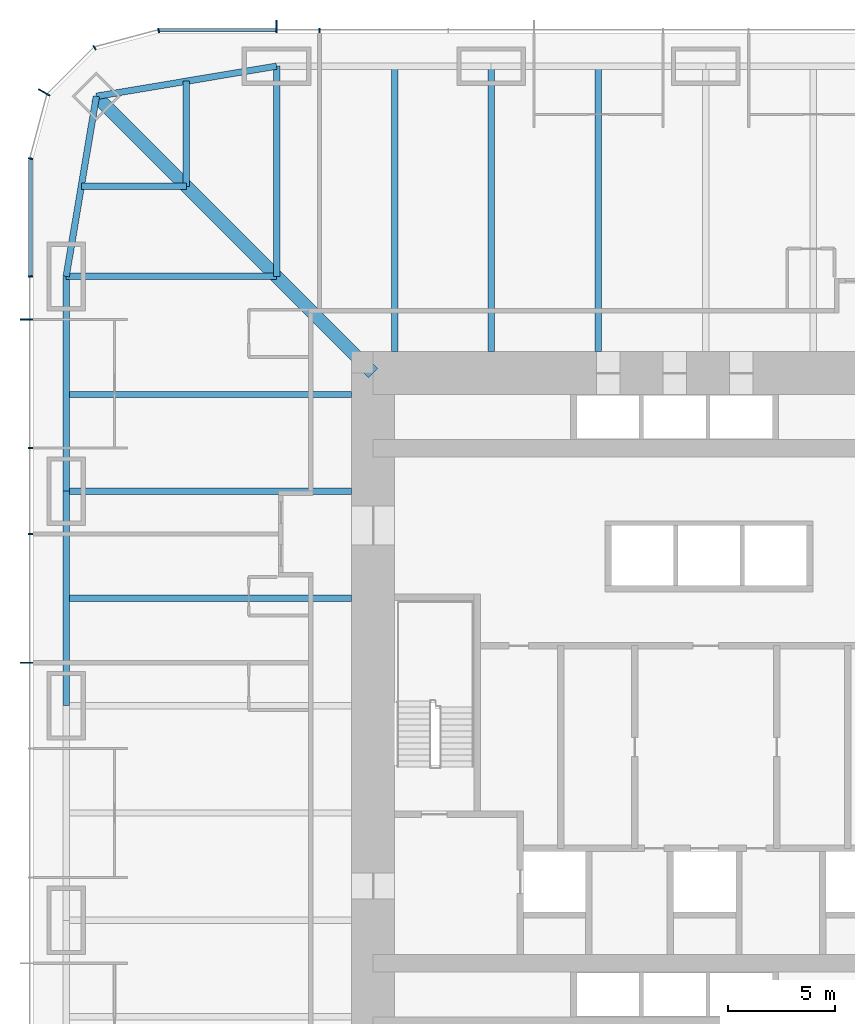
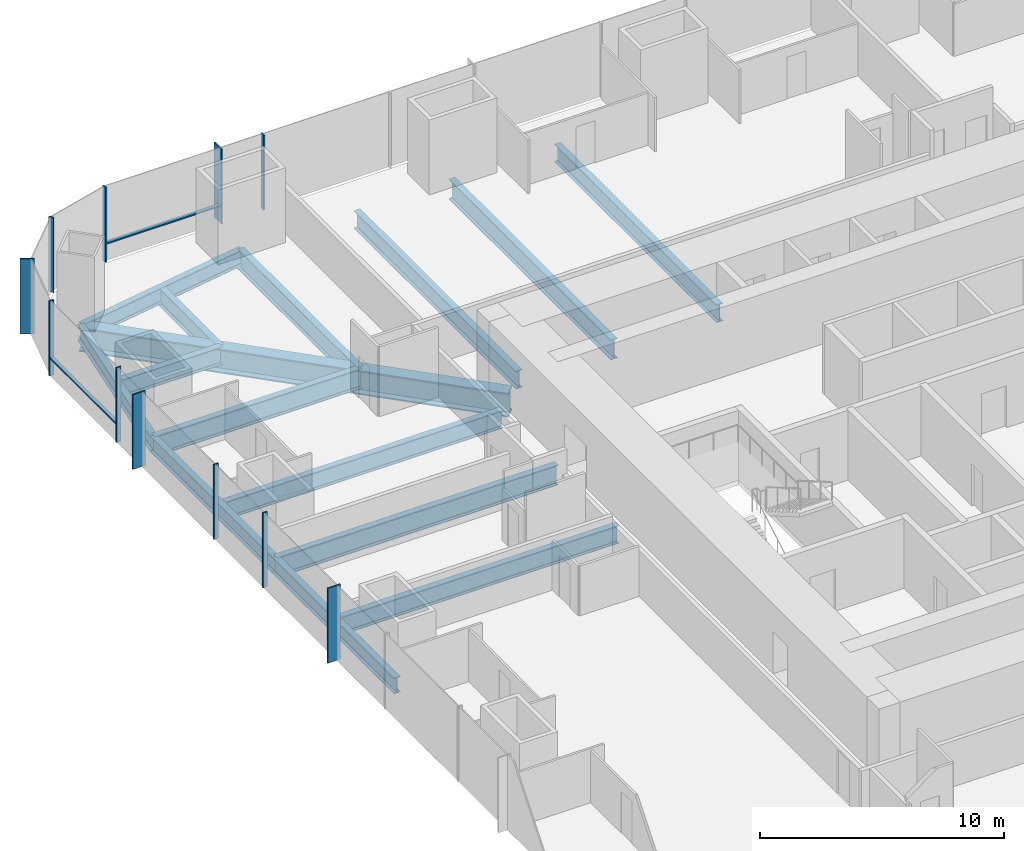
# One storey, part 6 of 16: 15 beams, 13 members, 3 elements without a shape of their own.
"""IFC4 building model written with IfcOpenShell, lengths in metres."""

from ifc_helpers import new_model, si_unit, direction, frame, origin, origin_2d, place, context, subcontext, project, spatial, rectangle, i_section, extrude, material, material_profile, profile_set, type_object, element, aggregate, save


model = new_model("IFC4")

# Units and contexts
model_context = context("Model", 3, precision=1e-05, world=origin(), true_north=direction((0.0, 1.0)))
body_context = subcontext(model_context, "Body", "Model", "MODEL_VIEW")
ifc_project = project(units=[si_unit("LENGTHUNIT", "METRE"), si_unit("AREAUNIT", "SQUARE_METRE"), si_unit("VOLUMEUNIT", "CUBIC_METRE"), si_unit("PLANEANGLEUNIT", "RADIAN"), si_unit("MASSUNIT", "GRAM", prefix="KILO")], contexts=[model_context])

# Site, building, storey
site_placement = place(None, origin())
site = spatial("IfcSite", under=ifc_project, at=site_placement, CompositionType="ELEMENT")
building_placement = place(site_placement, origin())
building = spatial("IfcBuilding", under=site, at=building_placement, Name="Khuree Lantern Residences", CompositionType="ELEMENT")
storey_placement = place(building_placement, frame((0.0, 0.0, 62.25)))
storey = spatial("IfcBuildingStorey", under=building, at=storey_placement, Name="L15", CompositionType="ELEMENT", Elevation=62.25)

# Beams
ifc_material_1 = material(Name="Steel S355", Category="steel")
ifc_material_profile_1 = material_profile(ifc_material_1, i_section(OverallWidth=0.300048828125, OverallDepth=0.889892578125, WebThickness=0.01611328125, FlangeThickness=0.030029296875, FilletRadius=0.030029296875, at=origin_2d()), Name="HE 900 A")
ifc_profile_set_1 = profile_set([ifc_material_profile_1], Name="Steel S355")
beam_type_1 = type_object("IfcBeamType", Name="B-13 SECONDARY BEAM HE 900 A", PredefinedType="BEAM", material=ifc_profile_set_1)
for number, where, z_axis, x_axis, name in (
    (1, (-14.5, 29.800048828125, -0.695068359375), (0.0, -1.0, 0.0), (1.0, 0.0, 0.0), "Secondary beam N1"),
    (2, (-5.0, 29.800048828125, -0.695068359375), (0.0, -1.0, 0.0), (1.0, 0.0, 0.0), "Secondary beam N2"),
    (3, (-29.800048828125, 5.0, -0.695068359375), (1.0, 0.0, 0.0), (0.0, 1.0, 0.0), "Secondary beam W4"),
    (4, (-29.800048828125, 14.5, -0.695068359375), (1.0, 0.0, 0.0), (0.0, 1.0, 0.0), "Secondary beam W5"),
):
    element("IfcBeam", number, at=place(storey_placement, frame(where, z_axis=z_axis, x_axis=x_axis)), inside=storey, type_object=beam_type_1, Name=name, PredefinedType="BEAM", context=body_context, shape_type="SweptSolid", body=[
        extrude(i_section(OverallWidth=0.300048828125, OverallDepth=0.889892578125, WebThickness=0.01611328125, FlangeThickness=0.030029296875, FilletRadius=0.030029296875, at=origin_2d()), origin(), (0.0, 0.0, 1.0), 13.300048828125),
    ])
for number, where, z_axis, x_axis, name in (
    (5, (-29.09716796875, 24.197021484375, -0.695068359375), (1.0, 0.0, 0.0), (0.0, 1.0, 0.0), "Secondary beam W6"),
    (6, (-24.197021484375, 29.09716796875, -0.695068359375), (0.0, -1.0, 0.0), (1.0, 0.0, 0.0), "Secondary beam N6"),
):
    element("IfcBeam", number, at=place(storey_placement, frame(where, z_axis=z_axis, x_axis=x_axis)), inside=storey, type_object=beam_type_1, Name=name, PredefinedType="BEAM", context=body_context, shape_type="SweptSolid", body=[
        extrude(i_section(OverallWidth=0.300048828125, OverallDepth=0.889892578125, WebThickness=0.01611328125, FlangeThickness=0.030029296875, FilletRadius=0.030029296875, at=origin_2d()), origin(), (0.0, 0.0, 1.0), 4.900146484375),
    ])
ifc_material_profile_2 = material_profile(ifc_material_1, i_section(OverallWidth=0.300048828125, OverallDepth=0.7900390625, WebThickness=0.014892578125, FlangeThickness=0.028076171875, FilletRadius=0.030029296875, at=origin_2d()), Name="HE 800 A")
ifc_profile_set_2 = profile_set([ifc_material_profile_2], Name="Steel S355")
beam_type_2 = type_object("IfcBeamType", Name="E-13 SPANDREL BEAM HE 800 A", PredefinedType="SPANDREL", material=ifc_profile_set_2)
for number, where, z_axis, x_axis, name in (
    (7, (-29.800048828125, 0.0, -0.64501953125), (0.0, 1.0, 0.0), (-1.0, 0.0, 0.0), "Spandrel beam W4"),
    (8, (-29.800048828125, 10.0, -0.64501953125), (0.0, 1.0, 0.0), (-1.0, 0.0, 0.0), "Spandrel beam W5"),
):
    element("IfcBeam", number, at=place(storey_placement, frame(where, z_axis=z_axis, x_axis=x_axis)), inside=storey, type_object=beam_type_2, Name=name, PredefinedType="SPANDREL", context=body_context, shape_type="SweptSolid", body=[
        extrude(i_section(OverallWidth=0.300048828125, OverallDepth=0.7900390625, WebThickness=0.014892578125, FlangeThickness=0.028076171875, FilletRadius=0.030029296875, at=origin_2d()), origin(), (0.0, 0.0, 1.0), 10.0),
    ])
for number, where, z_axis, x_axis, name in (
    (9, (-29.800048828125, 20.0, -0.64501953125), (0.165199022349, 0.986260251158, 0.0), (-0.986260251158, 0.165199022349, 0.0), "Spandrel beam W6"),
    (10, (-28.39404296875, 28.39404296875, -0.64501953125), (0.986260251158, 0.165199022349, 0.0), (-0.165199022349, 0.986260251158, 0.0), "Spandrel beam N6"),
):
    element("IfcBeam", number, at=place(storey_placement, frame(where, z_axis=z_axis, x_axis=x_axis)), inside=storey, type_object=beam_type_2, Name=name, PredefinedType="SPANDREL", context=body_context, shape_type="SweptSolid", body=[
        extrude(i_section(OverallWidth=0.300048828125, OverallDepth=0.7900390625, WebThickness=0.014892578125, FlangeThickness=0.028076171875, FilletRadius=0.030029296875, at=origin_2d()), origin(), (0.0, 0.0, 1.0), 8.510986328125),
    ])

# Curtain wall, member
ifc_material_2 = material(Name="Bronze anodised aluminium", Category="aluminium")
curtain_wall_type_1 = type_object("IfcCurtainWallType", Name="CW-T1 TOWER FACE CURTAIN WALL", PredefinedType="USERDEFINED", material=ifc_material_2)
curtain_wall_1_placement = place(storey_placement, origin())
curtain_wall_1 = element("IfcCurtainWall", 11, at=curtain_wall_1_placement, inside=storey, type_object=curtain_wall_type_1, Name="L15 NORTH FACE CURTAIN WALL", ObjectType="Stick-built curtain wall", PredefinedType="USERDEFINED")
ifc_material_profile_3 = material_profile(ifc_material_2, rectangle(XDim=0.06494140625, YDim=0.60009765625, at=origin_2d()), Name="F1 65X600")
ifc_profile_set_3 = profile_set([ifc_material_profile_3], Name="Bronze anodised aluminium")
member_type_1 = type_object("IfcMemberType", Name="F1 BRONZE FIN MULLION TOWER 65X600", PredefinedType="MULLION", material=ifc_profile_set_3)
member_1_placement = place(storey_placement, frame((-20.0, 31.64990234375, 0.0), z_axis=(0.0, 0.0, 1.0), x_axis=(-1.0, 0.0, 0.0)))
member_1 = element("IfcMember", 12, at=member_1_placement, type_object=member_type_1, Name="L15 NORTH FACE FIN MULLION 28", PredefinedType="MULLION", context=body_context, shape_type="SweptSolid", body=[
    extrude(rectangle(XDim=0.06494140625, YDim=0.60009765625, at=origin_2d()), origin(), (0.0, 0.0, 1.0), 3.75),
])

curtain_wall_type_2 = type_object("IfcCurtainWallType", Name="CW-T2 TOWER CORNER CURTAIN WALL", PredefinedType="USERDEFINED", material=ifc_material_2)
curtain_wall_2_placement = place(storey_placement, origin())
curtain_wall_2 = element("IfcCurtainWall", 13, at=curtain_wall_2_placement, inside=storey, type_object=curtain_wall_type_2, Name="L15 NORTH-WEST CORNER CURTAIN WALL", ObjectType="Faceted corner curtain wall", PredefinedType="USERDEFINED")
member_2_placement = place(storey_placement, frame((-30.826171875, 28.574951171875, 0.0), z_axis=(0.0, 0.0, 1.0), x_axis=(-0.500000056923, -0.86602537092, 0.0)))
member_2 = element("IfcMember", 14, at=member_2_placement, type_object=member_type_1, Name="L15 NORTH-WEST CORNER FIN MULLION 31", PredefinedType="MULLION", context=body_context, shape_type="SweptSolid", body=[
    extrude(rectangle(XDim=0.06494140625, YDim=0.60009765625, at=origin_2d()), origin(), (0.0, 0.0, 1.0), 3.75),
])

# Curtain wall, members
curtain_wall_3_placement = place(storey_placement, origin())
curtain_wall_3 = element("IfcCurtainWall", 15, at=curtain_wall_3_placement, inside=storey, type_object=curtain_wall_type_1, Name="L15 WEST FACE CURTAIN WALL", ObjectType="Stick-built curtain wall", PredefinedType="USERDEFINED")
member_3_placement = place(storey_placement, frame((-31.64990234375, 18.0, 0.0), z_axis=(0.0, 0.0, 1.0), x_axis=(0.0, -1.0, 0.0)))
member_3 = element("IfcMember", 16, at=member_3_placement, type_object=member_type_1, Name="L15 WEST FACE FIN MULLION 34", PredefinedType="MULLION", context=body_context, shape_type="SweptSolid", body=[
    extrude(rectangle(XDim=0.06494140625, YDim=0.60009765625, at=origin_2d()), origin(), (0.0, 0.0, 1.0), 3.75),
])
member_4_placement = place(storey_placement, frame((-31.64990234375, 2.0, 0.0), z_axis=(0.0, 0.0, 1.0), x_axis=(0.0, -1.0, 0.0)))
member_4 = element("IfcMember", 17, at=member_4_placement, type_object=member_type_1, Name="L15 WEST FACE FIN MULLION 37", PredefinedType="MULLION", context=body_context, shape_type="SweptSolid", body=[
    extrude(rectangle(XDim=0.06494140625, YDim=0.60009765625, at=origin_2d()), origin(), (0.0, 0.0, 1.0), 3.75),
])

# Beams
ifc_material_profile_4 = material_profile(ifc_material_1, i_section(OverallWidth=0.302001953125, OverallDepth=1.008056640625, WebThickness=0.02099609375, FlangeThickness=0.0400390625, FilletRadius=0.030029296875, at=origin_2d()), Name="HE 1000 M")
ifc_profile_set_4 = profile_set([ifc_material_profile_4], Name="Steel S355")
beam_type_3 = type_object("IfcBeamType", Name="G-13 GIRDER HE 1000 M", PredefinedType="BEAM", material=ifc_profile_set_4)
beam_1_placement = place(storey_placement, frame((-20.0, 29.800048828125, -0.75390625), z_axis=(0.0, -1.0, 0.0), x_axis=(1.0, 0.0, 0.0)))
element("IfcBeam", 18, at=beam_1_placement, inside=storey, type_object=beam_type_3, Name="Girder N1", PredefinedType="BEAM", context=body_context, shape_type="SweptSolid", body=[
    extrude(i_section(OverallWidth=0.302001953125, OverallDepth=1.008056640625, WebThickness=0.02099609375, FlangeThickness=0.0400390625, FilletRadius=0.030029296875, at=origin_2d()), origin(), (0.0, 0.0, 1.0), 9.800048828125),
])
for number, where, z_axis, x_axis, name in (
    (19, (-10.0, 29.800048828125, -0.75390625), (0.0, -1.0, 0.0), (1.0, 0.0, 0.0), "Girder N2"),
    (20, (-29.800048828125, 10.0, -0.75390625), (1.0, 0.0, 0.0), (0.0, 1.0, 0.0), "Girder W4"),
):
    element("IfcBeam", number, at=place(storey_placement, frame(where, z_axis=z_axis, x_axis=x_axis)), inside=storey, type_object=beam_type_3, Name=name, PredefinedType="BEAM", context=body_context, shape_type="SweptSolid", body=[
        extrude(i_section(OverallWidth=0.302001953125, OverallDepth=1.008056640625, WebThickness=0.02099609375, FlangeThickness=0.0400390625, FilletRadius=0.030029296875, at=origin_2d()), origin(), (0.0, 0.0, 1.0), 13.300048828125),
    ])
beam_2_placement = place(storey_placement, frame((-29.800048828125, 20.0, -0.75390625), z_axis=(1.0, 0.0, 0.0), x_axis=(0.0, 1.0, 0.0)))
element("IfcBeam", 21, at=beam_2_placement, inside=storey, type_object=beam_type_3, Name="Girder W5", PredefinedType="BEAM", context=body_context, shape_type="SweptSolid", body=[
    extrude(i_section(OverallWidth=0.302001953125, OverallDepth=1.008056640625, WebThickness=0.02099609375, FlangeThickness=0.0400390625, FilletRadius=0.030029296875, at=origin_2d()), origin(), (0.0, 0.0, 1.0), 9.800048828125),
])
ifc_material_profile_5 = material_profile(ifc_material_1, i_section(OverallWidth=0.60009765625, OverallDepth=1.199951171875, WebThickness=0.030029296875, FlangeThickness=0.06005859375, at=origin_2d()), Name="WELDED I 1200X600X30X60")
ifc_profile_set_5 = profile_set([ifc_material_profile_5], Name="Steel S355")
beam_type_4 = type_object("IfcBeamType", Name="GD-13 CORNER GIRDER WELDED I 1200X600X30X60", PredefinedType="BEAM", material=ifc_profile_set_5)
beam_3_placement = place(storey_placement, frame((-28.39404296875, 28.39404296875, -0.85009765625), z_axis=(0.707106781187, -0.707106781187, 0.0), x_axis=(0.707106781187, 0.707106781187, 0.0)))
element("IfcBeam", 22, at=beam_3_placement, inside=storey, type_object=beam_type_4, Name="Corner girder NW", PredefinedType="BEAM", context=body_context, shape_type="SweptSolid", body=[
    extrude(i_section(OverallWidth=0.60009765625, OverallDepth=1.199951171875, WebThickness=0.030029296875, FlangeThickness=0.06005859375, at=origin_2d()), origin(), (0.0, 0.0, 1.0), 18.23486328125),
])

# Member
ifc_material_profile_6 = material_profile(ifc_material_2, rectangle(XDim=0.06494140625, YDim=0.219970703125, at=origin_2d()), Name="M1 65X220")
ifc_profile_set_6 = profile_set([ifc_material_profile_6], Name="Bronze anodised aluminium")
member_type_2 = type_object("IfcMemberType", Name="M1 BRONZE MULLION TOWER 65X220", PredefinedType="MULLION", material=ifc_profile_set_6)
member_5_placement = place(storey_placement, frame((-18.0, 31.4599609375, 0.0), z_axis=(0.0, 0.0, 1.0), x_axis=(-1.0, 0.0, 0.0)))
member_5 = element("IfcMember", 23, at=member_5_placement, type_object=member_type_2, Name="L15 NORTH FACE MULLION 27", PredefinedType="MULLION", context=body_context, shape_type="SweptSolid", body=[
    extrude(rectangle(XDim=0.06494140625, YDim=0.219970703125, at=origin_2d()), origin(), (0.0, 0.0, 1.0), 3.75),
])

member_6_placement = place(storey_placement, frame((-25.494873046875, 31.461669921875, 0.0), z_axis=(0.0, 0.0, 1.0), x_axis=(-0.991444852794, -0.130526257387, 0.0)))
member_6 = element("IfcMember", 24, at=member_6_placement, type_object=member_type_2, Name="L15 NORTH-WEST CORNER MULLION 29", PredefinedType="MULLION", context=body_context, shape_type="SweptSolid", body=[
    extrude(rectangle(XDim=0.06494140625, YDim=0.219970703125, at=origin_2d()), origin(), (0.0, 0.0, 1.0), 3.75),
])

member_7_placement = place(storey_placement, frame((-28.47998046875, 30.66162109375, 0.0), z_axis=(0.0, 0.0, 1.0), x_axis=(-0.86602537092, -0.500000056923, 0.0)))
member_7 = element("IfcMember", 25, at=member_7_placement, type_object=member_type_2, Name="L15 NORTH-WEST CORNER MULLION 30", PredefinedType="MULLION", context=body_context, shape_type="SweptSolid", body=[
    extrude(rectangle(XDim=0.06494140625, YDim=0.219970703125, at=origin_2d()), origin(), (0.0, 0.0, 1.0), 3.75),
])

aggregate(curtain_wall_2, [member_6, member_7, member_2])

member_8_placement = place(storey_placement, frame((-31.461669921875, 25.494873046875, 0.0), z_axis=(0.0, 0.0, 1.0), x_axis=(-0.130526257387, -0.991444852794, 0.0)))
member_8 = element("IfcMember", 26, at=member_8_placement, type_object=member_type_2, Name="L15 WEST FACE MULLION 32", PredefinedType="MULLION", context=body_context, shape_type="SweptSolid", body=[
    extrude(rectangle(XDim=0.06494140625, YDim=0.219970703125, at=origin_2d()), origin(), (0.0, 0.0, 1.0), 3.75),
])

member_9_placement = place(storey_placement, frame((-31.4599609375, 20.0, 0.0), z_axis=(0.0, 0.0, 1.0), x_axis=(0.0, -1.0, 0.0)))
member_9 = element("IfcMember", 27, at=member_9_placement, type_object=member_type_2, Name="L15 WEST FACE MULLION 33", PredefinedType="MULLION", context=body_context, shape_type="SweptSolid", body=[
    extrude(rectangle(XDim=0.06494140625, YDim=0.219970703125, at=origin_2d()), origin(), (0.0, 0.0, 1.0), 3.75),
])

member_10_placement = place(storey_placement, frame((-31.4599609375, 12.0, 0.0), z_axis=(0.0, 0.0, 1.0), x_axis=(0.0, -1.0, 0.0)))
member_10 = element("IfcMember", 28, at=member_10_placement, type_object=member_type_2, Name="L15 WEST FACE MULLION 35", PredefinedType="MULLION", context=body_context, shape_type="SweptSolid", body=[
    extrude(rectangle(XDim=0.06494140625, YDim=0.219970703125, at=origin_2d()), origin(), (0.0, 0.0, 1.0), 3.75),
])

member_11_placement = place(storey_placement, frame((-31.4599609375, 8.0, 0.0), z_axis=(0.0, 0.0, 1.0), x_axis=(0.0, -1.0, 0.0)))
member_11 = element("IfcMember", 29, at=member_11_placement, type_object=member_type_2, Name="L15 WEST FACE MULLION 36", PredefinedType="MULLION", context=body_context, shape_type="SweptSolid", body=[
    extrude(rectangle(XDim=0.06494140625, YDim=0.219970703125, at=origin_2d()), origin(), (0.0, 0.0, 1.0), 3.75),
])

ifc_material_profile_7 = material_profile(ifc_material_2, rectangle(XDim=0.179931640625, YDim=0.06494140625, at=origin_2d()), Name="T1 180X65")
ifc_profile_set_7 = profile_set([ifc_material_profile_7], Name="Bronze anodised aluminium")
member_type_3 = type_object("IfcMemberType", Name="TRANSOM T1 TOWER 180X65", PredefinedType="USERDEFINED", material=ifc_profile_set_7)
member_12_placement = place(storey_placement, frame((-20.032470703125, 31.469970703125, 0.89990234375), z_axis=(-1.0, 0.0, 0.0), x_axis=(0.0, -1.0, 0.0)))
member_12 = element("IfcMember", 30, at=member_12_placement, type_object=member_type_3, Name="L15 NORTH FACE TRANSOM 28.1", ObjectType="Transom", PredefinedType="USERDEFINED", context=body_context, shape_type="SweptSolid", body=[
    extrude(rectangle(XDim=0.179931640625, YDim=0.06494140625, at=origin_2d()), origin(), (0.0, 0.0, 1.0), 5.4189453125),
])

aggregate(curtain_wall_1, [member_5, member_1, member_12])

member_13_placement = place(storey_placement, frame((-31.469970703125, 25.451416015625, 0.89990234375), z_axis=(0.0, -1.0, 0.0), x_axis=(1.0, 0.0, 0.0)))
member_13 = element("IfcMember", 31, at=member_13_placement, type_object=member_type_3, Name="L15 WEST FACE TRANSOM 32.1", ObjectType="Transom", PredefinedType="USERDEFINED", context=body_context, shape_type="SweptSolid", body=[
    extrude(rectangle(XDim=0.179931640625, YDim=0.06494140625, at=origin_2d()), origin(), (0.0, 0.0, 1.0), 5.4189453125),
])

aggregate(curtain_wall_3, [member_8, member_9, member_3, member_10, member_11, member_4, member_13])

save(model, "model.ifc")
